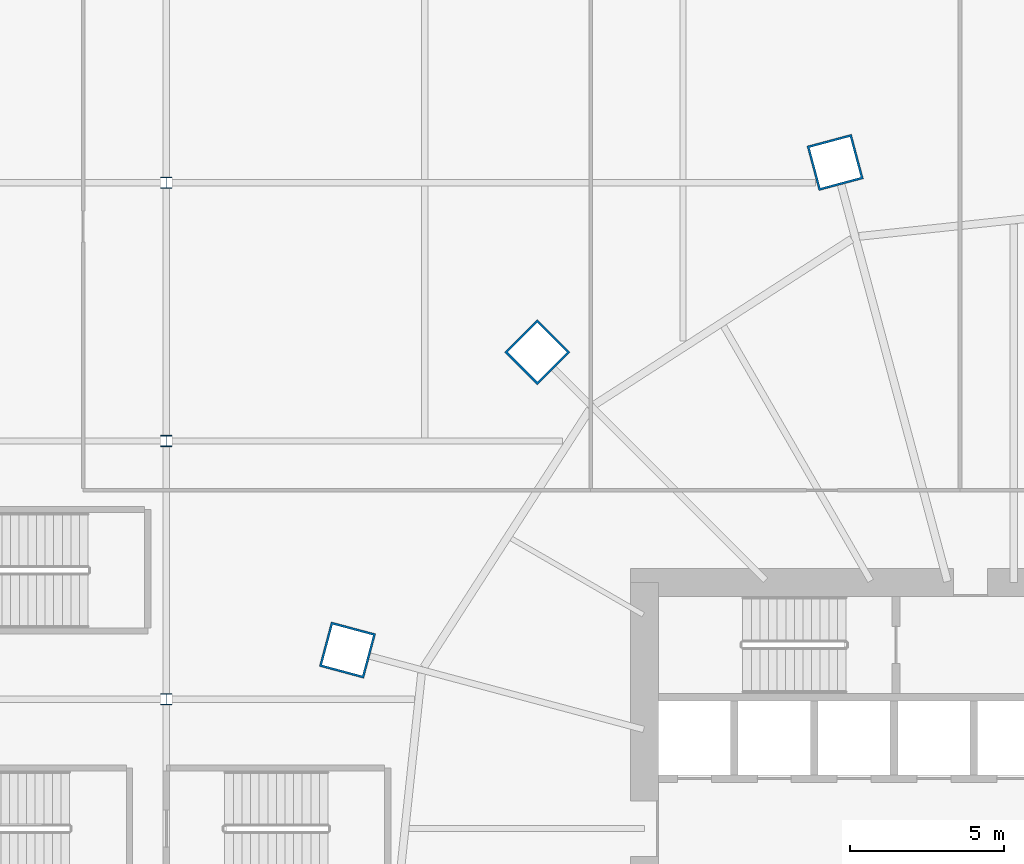
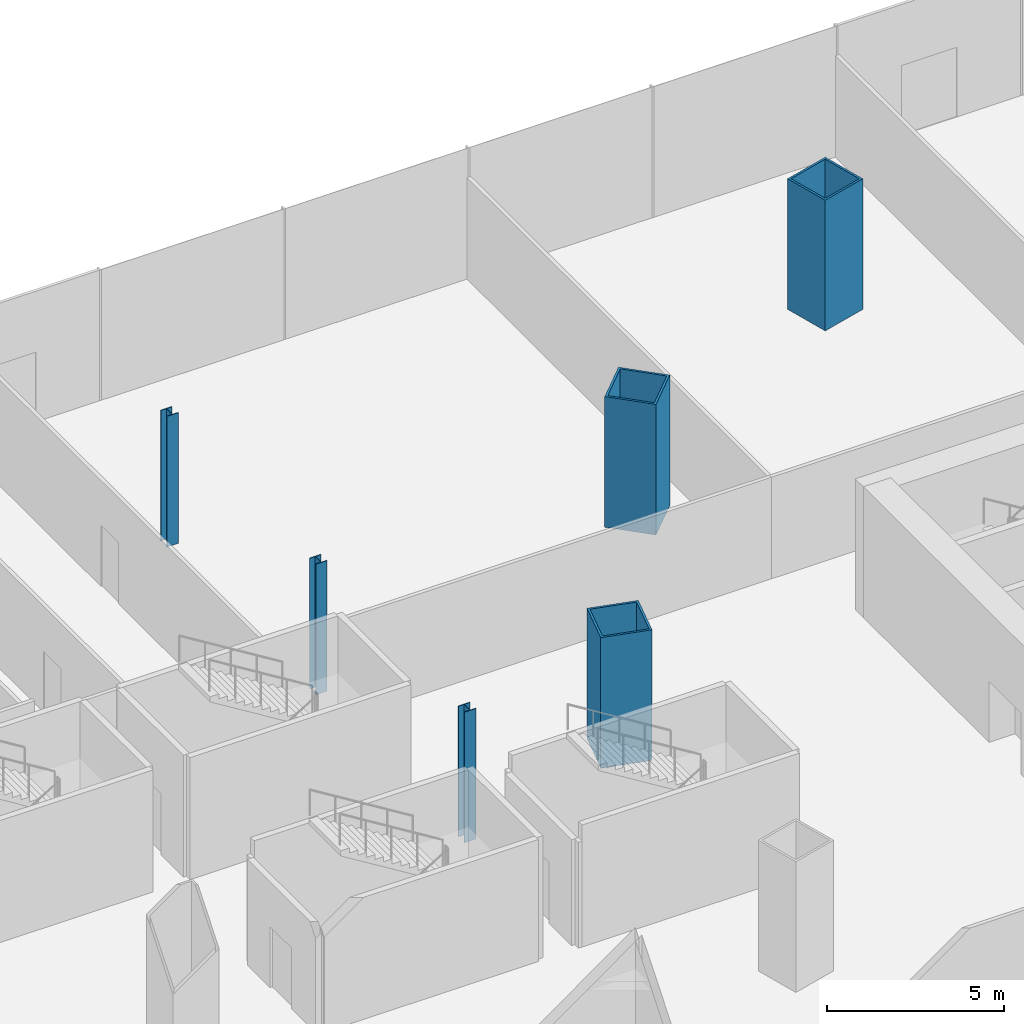
# One storey, part 7 of 52: 6 columns.
"""IFC4 building model written with IfcOpenShell, lengths in metres."""

from ifc_helpers import new_model, si_unit, direction, frame, origin, origin_2d, place, context, subcontext, project, spatial, hollow_rectangle, i_section, extrude, material, material_profile, profile_set, type_object, element, save


model = new_model("IFC4")

# Units and contexts
model_context = context("Model", 3, precision=1e-05, world=origin(), true_north=direction((0.0, 1.0)))
body_context = subcontext(model_context, "Body", "Model", "MODEL_VIEW")
ifc_project = project(units=[si_unit("LENGTHUNIT", "METRE"), si_unit("AREAUNIT", "SQUARE_METRE"), si_unit("VOLUMEUNIT", "CUBIC_METRE"), si_unit("PLANEANGLEUNIT", "RADIAN"), si_unit("MASSUNIT", "GRAM", prefix="KILO")], contexts=[model_context])

# Site, building, storey
site_placement = place(None, origin())
site = spatial("IfcSite", under=ifc_project, at=site_placement, CompositionType="ELEMENT")
building_placement = place(site_placement, origin())
building = spatial("IfcBuilding", under=site, at=building_placement, Name="Rimbun Link Towers", CompositionType="ELEMENT")
storey_placement = place(building_placement, frame((0.0, 0.0, 21.0)))
storey = spatial("IfcBuildingStorey", under=building, at=storey_placement, Name="L04", CompositionType="ELEMENT", Elevation=21.0)

# Columns
ifc_material_1 = material(Name="Steel S460N", Category="steel")
ifc_material_profile_1 = material_profile(ifc_material_1, hollow_rectangle(XDim=1.5, YDim=1.5, WallThickness=0.070068359375, at=origin_2d()), Name="BOX 1500x1500x70")
ifc_profile_set_1 = profile_set([ifc_material_profile_1], Name="Steel S460N")
column_type_1 = type_object("IfcColumnType", Name="BOX 1500x1500x70", PredefinedType="COLUMN", material=ifc_profile_set_1)
for number, where, z_axis, x_axis, name in (
    (1, (25.94677734375, 21.658203125, 0.0), (0.0, 0.0, 1.0), (-0.258819045103, 0.965925826289, 0.0), "Mega column T2 L04 04"),
    (2, (16.261474609375, 15.488525390625, 0.0), (0.0, 0.0, 1.0), (-0.707106781187, 0.707106781187, 0.0), "Mega column T2 L04 06"),
    (3, (10.091796875, 5.80322265625, 0.0), (0.0, 0.0, 1.0), (-0.965925826289, 0.258819045103, 0.0), "Mega column T2 L04 08"),
):
    element("IfcColumn", number, at=place(storey_placement, frame(where, z_axis=z_axis, x_axis=x_axis)), inside=storey, type_object=column_type_1, Name=name, PredefinedType="COLUMN", context=body_context, shape_type="SweptSolid", body=[
        extrude(hollow_rectangle(XDim=1.5, YDim=1.5, WallThickness=0.070068359375, at=origin_2d()), origin(), (0.0, 0.0, 1.0), 4.5),
    ])
ifc_material_2 = material(Name="Steel S355J2", Category="steel")
ifc_material_profile_2 = material_profile(ifc_material_2, i_section(OverallWidth=0.37060546875, OverallDepth=0.362060546875, WebThickness=0.01220703125, FlangeThickness=0.020751953125, at=origin_2d()), Name="UC 356x368x153")
ifc_profile_set_2 = profile_set([ifc_material_profile_2], Name="Steel S355J2")
column_type_2 = type_object("IfcColumnType", Name="UC 356x368x153", PredefinedType="COLUMN", material=ifc_profile_set_2)
for number, where, z_axis, x_axis, name in (
    (4, (4.199951171875, 4.199951171875, 0.0), (0.0, 0.0, 1.0), (1.0, 0.0, 0.0), "Column L04 +4.2 +4.2"),
    (5, (4.199951171875, 12.60009765625, 0.0), (0.0, 0.0, 1.0), (1.0, 0.0, 0.0), "Column L04 +4.2 +12.6"),
    (6, (4.199951171875, 21.0, 0.0), (0.0, 0.0, 1.0), (1.0, 0.0, 0.0), "Column L04 +4.2 +21.0"),
):
    element("IfcColumn", number, at=place(storey_placement, frame(where, z_axis=z_axis, x_axis=x_axis)), inside=storey, type_object=column_type_2, Name=name, PredefinedType="COLUMN", context=body_context, shape_type="SweptSolid", body=[
        extrude(i_section(OverallWidth=0.37060546875, OverallDepth=0.362060546875, WebThickness=0.01220703125, FlangeThickness=0.020751953125, at=origin_2d()), origin(), (0.0, 0.0, 1.0), 4.5),
    ])

save(model, "model.ifc")
